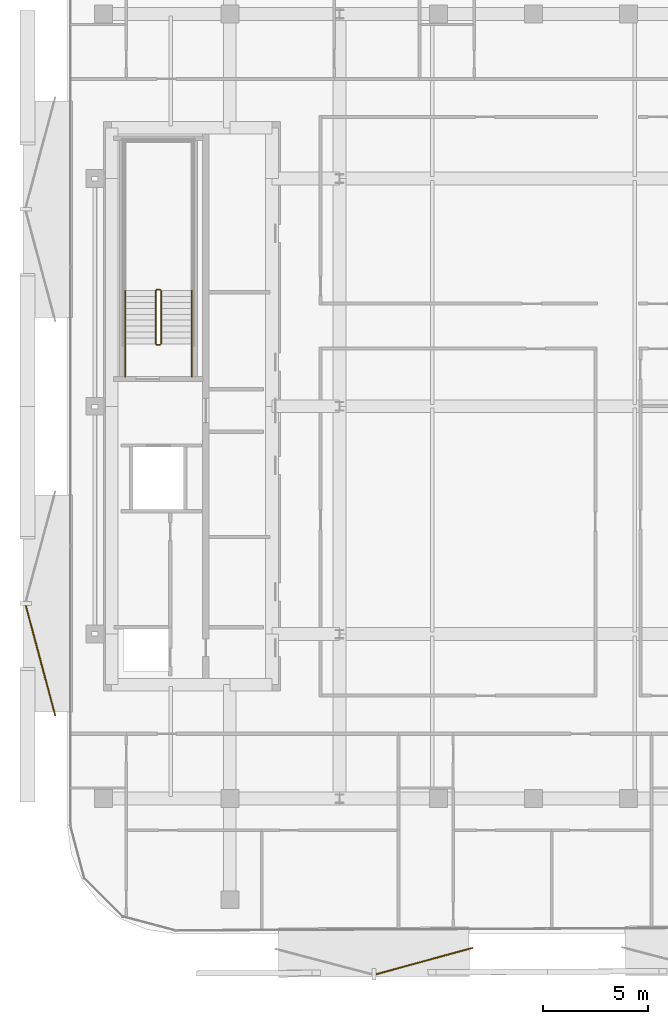
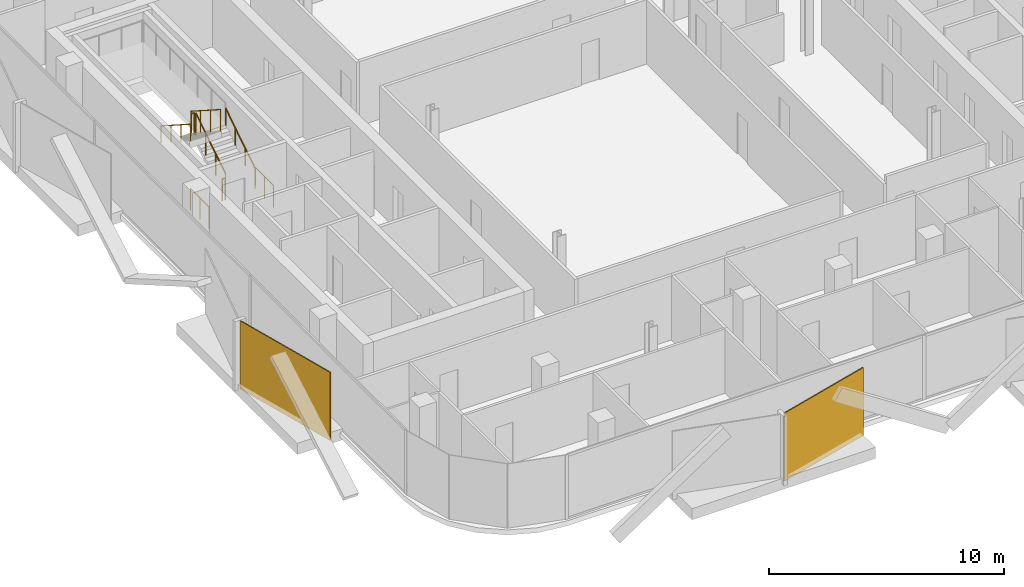
# One storey, part 13 of 15: 8 railings, 2 coverings.
"""IFC4 building model written with IfcOpenShell, lengths in metres."""

from ifc_helpers import new_model, si_unit, direction, frame, origin, origin_2d, place, context, subcontext, project, spatial, rectangle, circle, extrude, material, layer, layer_set, type_object, element, save


model = new_model("IFC4")

# Units and contexts
model_context = context("Model", 3, precision=1e-05, world=origin(), true_north=direction((0.0, 1.0)))
body_context = subcontext(model_context, "Body", "Model", "MODEL_VIEW")
ifc_project = project(units=[si_unit("LENGTHUNIT", "METRE"), si_unit("AREAUNIT", "SQUARE_METRE"), si_unit("VOLUMEUNIT", "CUBIC_METRE"), si_unit("PLANEANGLEUNIT", "RADIAN"), si_unit("MASSUNIT", "GRAM", prefix="KILO")], contexts=[model_context])

# Site, building, storey
site_placement = place(None, origin())
site = spatial("IfcSite", under=ifc_project, at=site_placement, CompositionType="ELEMENT")
building_placement = place(site_placement, origin())
building = spatial("IfcBuilding", under=site, at=building_placement, Name="Khairoan Windgate Tower", CompositionType="ELEMENT")
storey_placement = place(building_placement, frame((0.0, 0.0, 254.800048828125)))
storey = spatial("IfcBuildingStorey", under=building, at=storey_placement, Name="L60", CompositionType="ELEMENT", Elevation=254.800048828125)

# Coverings
ifc_material_1 = material(Name="Anodised Bronze Aluminium 6063-T6", Category="aluminium")
ifc_layer = layer(ifc_material_1, 0.054931640625, Name="Anodised Bronze Aluminium 6063-T6")
ifc_layer_set = layer_set([ifc_layer], Name="Anodised Bronze Aluminium 6063-T6")
covering_type = type_object("IfcCoveringType", Name="Perforated Bronze-Ceramic Folded Solar Screen Cladding BSC-1", PredefinedType="CLADDING", material=ifc_layer_set)
covering_1_placement = place(storey_placement, frame((-5.172607421875, -26.30615234375, -0.10009765625), z_axis=(0.0, 0.0, 1.0), x_axis=(-0.964649468762, -0.263536339841, 0.0)))
element("IfcCovering", 1, at=covering_1_placement, inside=storey, type_object=covering_type, Name="L60 Folded Bronze Solar Screen Facet 410L", PredefinedType="CLADDING", context=body_context, shape_type="SweptSolid", body=[
    extrude(rectangle(XDim=4.76708984375, YDim=0.054931640625, at=origin_2d()), origin(), (0.0, 0.0, 1.0), 3.5400390625),
])
covering_2_placement = place(storey_placement, frame((-23.378662109375, -12.052978515625, -0.10009765625), z_axis=(0.0, 0.0, 1.0), x_axis=(-0.258819045103, 0.965925826289, 0.0)))
element("IfcCovering", 2, at=covering_2_placement, inside=storey, type_object=covering_type, Name="L60 Folded Bronze Solar Screen Facet 411L", PredefinedType="CLADDING", context=body_context, shape_type="SweptSolid", body=[
    extrude(rectangle(XDim=5.419921875, YDim=0.054931640625, at=origin_2d()), origin(), (0.0, 0.0, 1.0), 3.5400390625),
])

# Railings
ifc_material_2 = material(Name="Anodised Bronze Aluminium 6063-T6", Category="aluminium")
railing_type_1 = type_object("IfcRailingType", Name="Stair Wall Handrail SHR-900", PredefinedType="HANDRAIL", material=ifc_material_2)
railing_1_placement = place(storey_placement, frame((-16.199951171875, 2.9599609375, 0.179931640625)))
element("IfcRailing", 3, at=railing_1_placement, inside=storey, type_object=railing_type_1, Name="L60 ST2 stair handrail 1", PredefinedType="HANDRAIL", context=body_context, shape_type="SweptSolid", body=[
    extrude(circle(Radius=0.02392578125, at=origin_2d()), frame((0.0, 0.0, 0.8759765625), z_axis=(0.0, 0.841162588446, 0.540782303519), x_axis=(-1.0, 0.0, 0.0)), (0.0, 0.0, 1.0), 2.995849609375),
    extrude(circle(Radius=0.02099609375, at=origin_2d()), origin(), (0.0, 0.0, 1.0), 0.851806640625),
    extrude(circle(Radius=0.02099609375, at=origin_2d()), frame((0.0, 0.840087890625, 0.5400390625)), (0.0, 0.0, 1.0), 0.851806640625),
    extrude(circle(Radius=0.02099609375, at=origin_2d()), frame((0.0, 1.679931640625, 1.080078125)), (0.0, 0.0, 1.0), 0.851806640625),
    extrude(circle(Radius=0.02099609375, at=origin_2d()), frame((0.0, 2.52001953125, 1.6201171875)), (0.0, 0.0, 1.0), 0.851806640625),
])
railing_2_placement = place(storey_placement, frame((-19.3701171875, 5.47998046875, 1.97998046875)))
element("IfcRailing", 4, at=railing_2_placement, inside=storey, type_object=railing_type_1, Name="L60 ST2 stair handrail 2", PredefinedType="HANDRAIL", context=body_context, shape_type="SweptSolid", body=[
    extrude(circle(Radius=0.02392578125, at=origin_2d()), frame((0.0, 0.0, 0.8759765625), z_axis=(0.0, -0.841199657755, 0.540724639528), x_axis=(1.0, 0.0, 0.0)), (0.0, 0.0, 1.0), 2.995849609375),
    extrude(circle(Radius=0.02099609375, at=origin_2d()), origin(), (0.0, 0.0, 1.0), 0.851806640625),
    extrude(circle(Radius=0.02099609375, at=origin_2d()), frame((0.0, -0.840087890625, 0.5400390625)), (0.0, 0.0, 1.0), 0.851806640625),
    extrude(circle(Radius=0.02099609375, at=origin_2d()), frame((0.0, -1.679931640625, 1.079833984375)), (0.0, 0.0, 1.0), 0.851806640625),
    extrude(circle(Radius=0.02099609375, at=origin_2d()), frame((0.0, -2.52001953125, 1.619873046875)), (0.0, 0.0, 1.0), 0.851806640625),
])
ifc_material_3 = material(Name="Steel S355", Category="steel")
railing_type_2 = type_object("IfcRailingType", Name="Stairwell Safety Guardrail SGR-1150", PredefinedType="GUARDRAIL", material=ifc_material_3)
railing_3_placement = place(storey_placement, frame((-17.659912109375, 2.9599609375, 0.179931640625)))
element("IfcRailing", 5, at=railing_3_placement, inside=storey, type_object=railing_type_2, Name="L60 ST2 stair guard 1", PredefinedType="GUARDRAIL", context=body_context, shape_type="SweptSolid", body=[
    extrude(circle(Radius=0.02392578125, at=origin_2d()), frame((0.0, 0.0, 1.1259765625), z_axis=(0.0, 0.841162588446, 0.540782303519), x_axis=(-1.0, 0.0, 0.0)), (0.0, 0.0, 1.0), 2.995849609375),
    extrude(circle(Radius=0.02099609375, at=origin_2d()), origin(), (0.0, 0.0, 1.0), 1.101806640625),
    extrude(circle(Radius=0.02099609375, at=origin_2d()), frame((0.0, 0.840087890625, 0.5400390625)), (0.0, 0.0, 1.0), 1.101806640625),
    extrude(circle(Radius=0.02099609375, at=origin_2d()), frame((0.0, 1.679931640625, 1.080078125)), (0.0, 0.0, 1.0), 1.101806640625),
    extrude(circle(Radius=0.02099609375, at=origin_2d()), frame((0.0, 2.52001953125, 1.6201171875)), (0.0, 0.0, 1.0), 1.101806640625),
])
railing_4_placement = place(storey_placement, frame((-17.7099609375, 5.530029296875, 1.800048828125)))
element("IfcRailing", 6, at=railing_4_placement, inside=storey, type_object=railing_type_2, Name="L60 ST2 stair guard 2", PredefinedType="GUARDRAIL", context=body_context, shape_type="SweptSolid", body=[
    extrude(circle(Radius=0.02392578125, at=origin_2d()), frame((0.0, 0.0, 1.1259765625), z_axis=(-1.0, 0.0, 0.0), x_axis=(0.0, -1.0, 0.0)), (0.0, 0.0, 1.0), 0.150146484375),
    extrude(circle(Radius=0.02099609375, at=origin_2d()), origin(), (0.0, 0.0, 1.0), 1.101806640625),
    extrude(circle(Radius=0.02099609375, at=origin_2d()), frame((-0.150146484375, 0.0, 0.0)), (0.0, 0.0, 1.0), 1.101806640625),
])
railing_5_placement = place(storey_placement, frame((-17.909912109375, 5.47998046875, 1.97998046875)))
element("IfcRailing", 7, at=railing_5_placement, inside=storey, type_object=railing_type_2, Name="L60 ST2 stair guard 6", PredefinedType="GUARDRAIL", context=body_context, shape_type="SweptSolid", body=[
    extrude(circle(Radius=0.02392578125, at=origin_2d()), frame((0.0, 0.0, 1.1259765625), z_axis=(0.0, -0.841199657755, 0.540724639528), x_axis=(1.0, 0.0, 0.0)), (0.0, 0.0, 1.0), 2.995849609375),
    extrude(circle(Radius=0.02099609375, at=origin_2d()), origin(), (0.0, 0.0, 1.0), 1.101806640625),
    extrude(circle(Radius=0.02099609375, at=origin_2d()), frame((0.0, -0.840087890625, 0.5400390625)), (0.0, 0.0, 1.0), 1.101806640625),
    extrude(circle(Radius=0.02099609375, at=origin_2d()), frame((0.0, -1.679931640625, 1.079833984375)), (0.0, 0.0, 1.0), 1.101806640625),
    extrude(circle(Radius=0.02099609375, at=origin_2d()), frame((0.0, -2.52001953125, 1.619873046875)), (0.0, 0.0, 1.0), 1.101806640625),
])
railing_6_placement = place(storey_placement, frame((-17.7099609375, 2.909912109375, 0.0)))
element("IfcRailing", 8, at=railing_6_placement, inside=storey, type_object=railing_type_2, Name="L60 ST2 stair guard 7", PredefinedType="GUARDRAIL", context=body_context, shape_type="SweptSolid", body=[
    extrude(circle(Radius=0.02392578125, at=origin_2d()), frame((0.0, 0.0, 1.1259765625), z_axis=(-1.0, 0.0, 0.0), x_axis=(0.0, -1.0, 0.0)), (0.0, 0.0, 1.0), 0.150146484375),
    extrude(circle(Radius=0.02099609375, at=origin_2d()), origin(), (0.0, 0.0, 1.0), 1.101806640625),
    extrude(circle(Radius=0.02099609375, at=origin_2d()), frame((-0.150146484375, 0.0, 0.0)), (0.0, 0.0, 1.0), 1.101806640625),
])
for number, where, name in (
    (9, (-16.199951171875, 1.39990234375, 0.0), "L60 ST2 stair guard 8"),
    (10, (-19.3701171875, 1.39990234375, 0.0), "L60 ST2 stair guard 9"),
):
    element("IfcRailing", number, at=place(storey_placement, frame(where)), inside=storey, type_object=railing_type_2, Name=name, PredefinedType="GUARDRAIL", context=body_context, shape_type="SweptSolid", body=[
        extrude(circle(Radius=0.02392578125, at=origin_2d()), frame((0.0, 0.0, 1.1259765625), z_axis=(0.0, 1.0, 0.0), x_axis=(-1.0, 0.0, 0.0)), (0.0, 0.0, 1.0), 1.56005859375),
        extrude(circle(Radius=0.02099609375, at=origin_2d()), origin(), (0.0, 0.0, 1.0), 1.101806640625),
        extrude(circle(Radius=0.02099609375, at=origin_2d()), frame((0.0, 0.780029296875, 0.0)), (0.0, 0.0, 1.0), 1.101806640625),
        extrude(circle(Radius=0.02099609375, at=origin_2d()), frame((0.0, 1.56005859375, 0.0)), (0.0, 0.0, 1.0), 1.101806640625),
    ])

save(model, "model.ifc")
